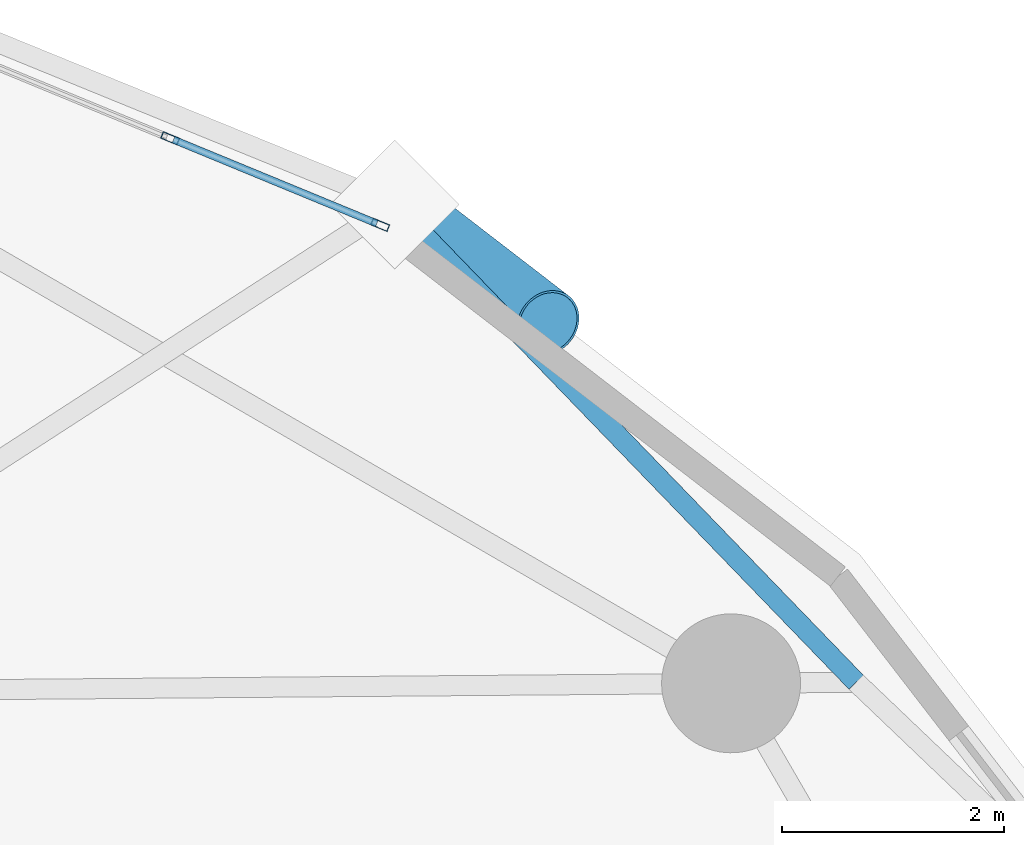
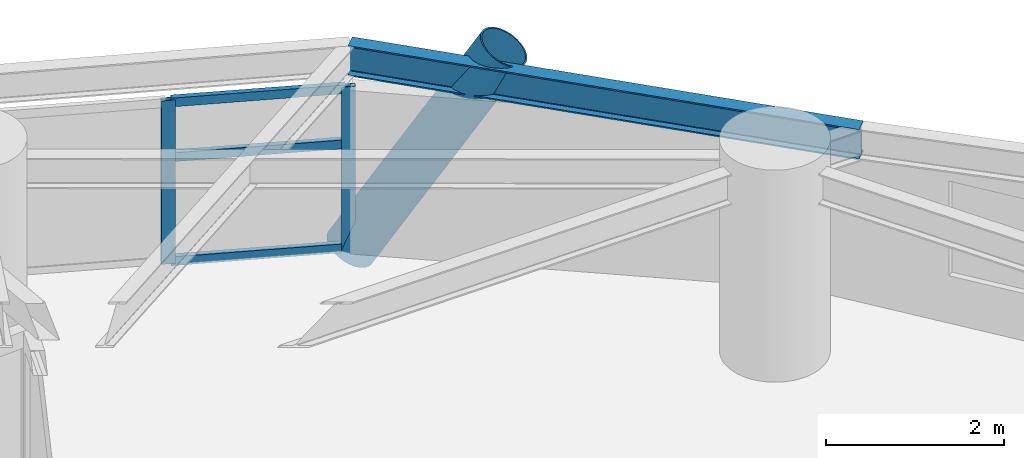
# One storey, part 5 of 19: 6 members, 1 beam, 1 element without a shape of its own.
"""IFC4 building model written with IfcOpenShell, lengths in metres."""

import ifcopenshell
import ifcopenshell.guid

model = None  # the IFC model being written
_history = None  # IfcOwnerHistory: only IFC2X3 demands one
_inside = {}  # id of a spatial element -> (the spatial element, [elements in it])
_under = {}  # id of a project, library or spatial element -> (it, [spatial elements below it])
_declared = {}  # id of a project -> (the project, [libraries it declares])
_typed = {}  # id of a type object -> (the type object, [elements of that type])
_made_of = {}  # id of a material, layer set ... -> (it, [elements and type objects made of it])


def new_model(schema):
    """Start an empty IFC model of exactly this schema.

    Asked for "IFC4X3", IfcOpenShell would pick the latest addendum, in which some entities
    have other attributes; the version numbers below select the first issue.
    IFC2X3 requires an IfcOwnerHistory on every rooted entity: one is made here for all.
    """
    global model, _history
    if schema == "IFC4X3":
        model = ifcopenshell.file(schema_version=(4, 3, 0, 0))
    else:
        model = ifcopenshell.file(schema=schema)
    _inside.clear()
    _under.clear()
    _declared.clear()
    _typed.clear()
    _made_of.clear()
    _history = None
    if model.schema == "IFC2X3":
        org = make("IfcOrganization", Name="unknown")
        user = make(
            "IfcPersonAndOrganization",
            ThePerson=make("IfcPerson", FamilyName="unknown"),
            TheOrganization=org,
        )
        app = make(
            "IfcApplication",
            ApplicationDeveloper=org,
            Version="unknown",
            ApplicationFullName="unknown",
            ApplicationIdentifier="unknown",
        )
        _history = make(
            "IfcOwnerHistory",
            OwningUser=user,
            OwningApplication=app,
            ChangeAction="ADDED",
            CreationDate=0,
        )
    return model


def make(cls, **values):
    """One entity of the class cls with the attributes given. An attribute that is None is left unset."""
    return model.create_entity(
        cls, **{name: value for name, value in values.items() if value is not None}
    )


def rooted(cls, **values):
    """An entity with a GlobalId (a new one), such as an element, a storey or a relation."""
    return make(cls, GlobalId=ifcopenshell.guid.new(), OwnerHistory=_history, **values)


def si_unit(unit_type, name, prefix=None):
    """IfcSIUnit, for example si_unit("LENGTHUNIT", "METRE", prefix="MILLI")."""
    return make("IfcSIUnit", UnitType=unit_type, Prefix=prefix, Name=name)


def assignment(units):
    """IfcUnitAssignment: the units of a project."""
    return None if units is None else make("IfcUnitAssignment", Units=units)


def point(xyz):
    """IfcCartesianPoint."""
    return None if xyz is None else make("IfcCartesianPoint", Coordinates=xyz)


def direction(xyz):
    """IfcDirection."""
    return None if xyz is None else make("IfcDirection", DirectionRatios=xyz)


def frame(location, z_axis=None, x_axis=None):
    """IfcAxis2Placement3D, a coordinate frame: its origin and axes. An axis left out is left unset."""
    return make(
        "IfcAxis2Placement3D",
        Location=point(location),
        Axis=direction(z_axis),
        RefDirection=direction(x_axis),
    )


def frame_2d(location, x_axis=None):
    """IfcAxis2Placement2D, a coordinate frame in the plane: its origin and x axis."""
    return make(
        "IfcAxis2Placement2D", Location=point(location), RefDirection=direction(x_axis)
    )


def origin():
    """The frame at (0, 0, 0) with its axes left unset."""
    return frame((0.0, 0.0, 0.0))


def origin_2d():
    """The frame at (0, 0) in the plane with its x axis left unset."""
    return frame_2d((0.0, 0.0))


def place(relative_to, where):
    """IfcLocalPlacement: puts the frame where relative to a parent placement (None: the world)."""
    return make(
        "IfcLocalPlacement", PlacementRelTo=relative_to, RelativePlacement=where
    )


def context(
    kind, dimensions, precision=None, world=None, true_north=None, identifier=None
):
    """IfcGeometricRepresentationContext, for example the 3D "Model" context."""
    return make(
        "IfcGeometricRepresentationContext",
        ContextIdentifier=identifier,
        ContextType=kind,
        CoordinateSpaceDimension=dimensions,
        Precision=precision,
        WorldCoordinateSystem=world,
        TrueNorth=true_north,
    )


def subcontext(parent, identifier, kind, view, scale=None):
    """IfcGeometricRepresentationSubContext, for example "Body" below "Model"."""
    return make(
        "IfcGeometricRepresentationSubContext",
        ContextIdentifier=identifier,
        ContextType=kind,
        ParentContext=parent,
        TargetScale=scale,
        TargetView=view,
    )


def project(units=None, contexts=None):
    """IfcProject with its units and contexts."""
    return rooted(
        "IfcProject",
        Name="project",
        RepresentationContexts=contexts,
        UnitsInContext=assignment(units),
    )


def spatial(cls, under=None, at=None, **own):
    """A site, building, storey or space (cls), placed at a placement, below another one or the project."""
    s = rooted(cls, ObjectPlacement=at, **own)
    if under is not None:
        _under.setdefault(under.id(), (under, []))[1].append(s)
    return s


def profile(cls, at=None, kind="AREA", **sizes):
    """A parametric profile (cls). Its sizes go by their IFC names, for example OverallWidth=200.0."""
    return make(cls, ProfileType=kind, Position=at, **sizes)


def hollow_rectangle(**sizes):
    """IfcRectangleHollowProfileDef."""
    return profile("IfcRectangleHollowProfileDef", **sizes)


def hollow_circle(**sizes):
    """IfcCircleHollowProfileDef."""
    return profile("IfcCircleHollowProfileDef", **sizes)


def i_section(**sizes):
    """IfcIShapeProfileDef."""
    return profile("IfcIShapeProfileDef", **sizes)


def extrude(swept, where, along, depth):
    """IfcExtrudedAreaSolid: the profile swept, set in the frame where, extruded along a direction by depth."""
    return make(
        "IfcExtrudedAreaSolid",
        SweptArea=swept,
        Position=where,
        ExtrudedDirection=direction(along),
        Depth=depth,
    )


def shape(context_of_items, identifier, shape_type, items):
    """IfcShapeRepresentation: the items that make up one representation, for example the "Body"."""
    return make(
        "IfcShapeRepresentation",
        ContextOfItems=context_of_items,
        RepresentationIdentifier=identifier,
        RepresentationType=shape_type,
        Items=items,
    )


def material(Name=None, Category=None):
    """IfcMaterial."""
    return make("IfcMaterial", Name=Name, Category=Category)


def layer(
    of_material, thickness, ventilated=None, Name=None, Category=None, Priority=None
):
    """IfcMaterialLayer: one layer of a wall or slab, of a material (None: an air gap)."""
    return make(
        "IfcMaterialLayer",
        Material=of_material,
        LayerThickness=thickness,
        IsVentilated=ventilated,
        Name=Name,
        Category=Category,
        Priority=Priority,
    )


def layer_set(layers, Name=None):
    """IfcMaterialLayerSet."""
    return make("IfcMaterialLayerSet", MaterialLayers=layers, LayerSetName=Name)


def material_profile(
    of_material, cross_section, Name=None, Category=None, Priority=None
):
    """IfcMaterialProfile: a cross section and its material."""
    return make(
        "IfcMaterialProfile",
        Name=Name,
        Material=of_material,
        Profile=cross_section,
        Priority=Priority,
        Category=Category,
    )


def profile_set(profiles, Name=None, composite=None):
    """IfcMaterialProfileSet."""
    return make(
        "IfcMaterialProfileSet",
        Name=Name,
        MaterialProfiles=profiles,
        CompositeProfile=composite,
    )


def made_of(thing, what):
    """Note that an element or type object is made of a material, layer set ...; save() writes the relation."""
    if what is not None:
        _made_of.setdefault(what.id(), (what, []))[1].append(thing)
    return thing


def type_object(cls, material=None, **own):
    """A type object (cls), such as IfcWallType, which elements share."""
    return made_of(rooted(cls, **own), material)


def element(
    cls,
    number,
    at=None,
    inside=None,
    cuts=None,
    type_object=None,
    material=None,
    context=None,
    identifier="Body",
    shape_type=None,
    held_by="IfcProductDefinitionShape",
    body=None,
    shapes=None,
    **own,
):
    """One element of the class cls, such as IfcWall. Its Tag is "e" and its number.

    at: its placement. inside: the storey or other place that contains it. cuts: it is an
    opening in that element (IfcRelVoidsElement). A single representation is given by context,
    identifier, shape_type and body (its items); several are given by shapes. held_by: the class
    of the entity that holds the representations. save() writes the other relations.
    """
    e = rooted(cls, Tag="e%d" % number, ObjectPlacement=at, **own)
    if body is not None:
        shapes = [shape(context, identifier, shape_type, body)]
    if shapes is not None:
        e.Representation = make(held_by, Representations=shapes)
    if inside is not None:
        _inside.setdefault(inside.id(), (inside, []))[1].append(e)
    if cuts is not None:
        rooted(
            "IfcRelVoidsElement", RelatingBuildingElement=cuts, RelatedOpeningElement=e
        )
    if type_object is not None:
        _typed.setdefault(type_object.id(), (type_object, []))[1].append(e)
    return made_of(e, material)


def aggregate(whole, parts):
    """IfcRelAggregates: a whole, such as a stair, and the parts it consists of."""
    return rooted("IfcRelAggregates", RelatingObject=whole, RelatedObjects=parts)


def save(model, path):
    """Write the relations noted so far, then the file.

    IfcRelAggregates (storeys below a building ...), IfcRelContainedInSpatialStructure (elements
    in a storey), IfcRelDefinesByType, IfcRelAssociatesMaterial and IfcRelDeclares: one each for
    every whole, place, type object, material and project.
    """
    for whole, parts in _under.values():
        aggregate(whole, parts)
    for where, things in _inside.values():
        rooted(
            "IfcRelContainedInSpatialStructure",
            RelatedElements=things,
            RelatingStructure=where,
        )
    for kind, things in _typed.values():
        rooted("IfcRelDefinesByType", RelatedObjects=things, RelatingType=kind)
    for what, things in _made_of.values():
        rooted("IfcRelAssociatesMaterial", RelatedObjects=things, RelatingMaterial=what)
    for by, libraries in _declared.values():
        rooted("IfcRelDeclares", RelatingContext=by, RelatedDefinitions=libraries)
    model.write(path)


model = new_model("IFC4")

# Units and contexts
model_context = context("Model", 3, precision=1e-05, world=origin(), true_north=direction((0.0, 1.0)))
body_context = subcontext(model_context, "Body", "Model", "MODEL_VIEW")
ifc_project = project(units=[si_unit("LENGTHUNIT", "METRE"), si_unit("AREAUNIT", "SQUARE_METRE"), si_unit("VOLUMEUNIT", "CUBIC_METRE"), si_unit("PLANEANGLEUNIT", "RADIAN"), si_unit("MASSUNIT", "GRAM", prefix="KILO")], contexts=[model_context])

# Site, building, storey
site_placement = place(None, origin())
site = spatial("IfcSite", under=ifc_project, at=site_placement, CompositionType="ELEMENT")
building_placement = place(site_placement, origin())
building = spatial("IfcBuilding", under=site, at=building_placement, Name="Cununo Teusaquillo Station Towers", CompositionType="ELEMENT")
storey_placement = place(building_placement, frame((0.0, 0.0, 177.7900390625)))
storey = spatial("IfcBuildingStorey", under=building, at=storey_placement, Name="L56", CompositionType="ELEMENT", Elevation=177.7900390625)

# Beam
ifc_material_1 = material(Name="Steel ASTM A572 Grade 50", Category="steel")
ifc_material_profile_1 = material_profile(ifc_material_1, i_section(OverallWidth=0.180908203125, OverallDepth=0.4169921875, WebThickness=0.010986328125, FlangeThickness=0.018310546875, FilletRadius=0.012939453125, at=origin_2d()), Name="W16X57")
ifc_profile_set_1 = profile_set([ifc_material_profile_1], Name="Steel ASTM A572 Grade 50")
beam_type = type_object("IfcBeamType", Name="BM-RING-Z3", PredefinedType="SPANDREL", material=ifc_profile_set_1)
beam_placement = place(storey_placement, frame((67.232666015625, 33.116455078125, 2.4814453125), z_axis=(-0.694791256552, 0.719211450005, 0.0), x_axis=(-0.719211450005, -0.694791256552, 0.0)))
element("IfcBeam", 1, at=beam_placement, inside=storey, type_object=beam_type, Name="L56 Tower B Spandrel Ring Beam 01", PredefinedType="SPANDREL", context=body_context, shape_type="SweptSolid", body=[
    extrude(i_section(OverallWidth=0.180908203125, OverallDepth=0.4169921875, WebThickness=0.010986328125, FlangeThickness=0.018310546875, FilletRadius=0.012939453125, at=origin_2d()), origin(), (0.0, 0.0, 1.0), 5.978515625),
])

# Curtain wall, members
ifc_material_2 = material(Name="Operable acoustic tinted low-E double glazing", Category="glass")
ifc_layer = layer(ifc_material_2, 0.179931640625)
ifc_layer_set = layer_set([ifc_layer], Name="Operable acoustic tinted low-E double glazing")
curtain_wall_type = type_object("IfcCurtainWallType", Name="CW-SYS-06", PredefinedType="USERDEFINED", material=ifc_layer_set)
curtain_wall_placement = place(storey_placement, origin())
curtain_wall = element("IfcCurtainWall", 2, at=curtain_wall_placement, inside=storey, type_object=curtain_wall_type, Name="L56 Tower B Facade Curtain Wall C01", ObjectType="OPERABLE GLAZING", PredefinedType="USERDEFINED")
ifc_material_3 = material(Name="Anodised dark bronze aluminium EN AW-6063-T6", Category="aluminium")
ifc_material_profile_2 = material_profile(ifc_material_3, hollow_rectangle(XDim=0.06494140625, YDim=0.159912109375, WallThickness=0.00390625, at=origin_2d()), Name="CW-MULL-65x160")
ifc_profile_set_2 = profile_set([ifc_material_profile_2], Name="Anodised dark bronze aluminium EN AW-6063-T6")
member_type_1 = type_object("IfcMemberType", Name="CWM-160", PredefinedType="MULLION", material=ifc_profile_set_2)
member_1_placement = place(storey_placement, frame((61.05908203125, 38.011962890625, 0.0), z_axis=(0.0, 0.0, 1.0), x_axis=(0.381229322376, 0.924480504803, 0.0)))
member_1 = element("IfcMember", 3, at=member_1_placement, type_object=member_type_1, Name="CW-06 mullion 2", PredefinedType="MULLION", context=body_context, shape_type="SweptSolid", body=[
    extrude(hollow_rectangle(XDim=0.06494140625, YDim=0.159912109375, WallThickness=0.00390625, at=origin_2d()), origin(), (0.0, 0.0, 1.0), 2.244873046875),
])
member_2_placement = place(storey_placement, frame((62.948974609375, 37.232666015625, 0.0), z_axis=(0.0, 0.0, 1.0), x_axis=(0.381229322376, 0.924480504803, 0.0)))
member_2 = element("IfcMember", 4, at=member_2_placement, type_object=member_type_1, Name="CW-06 mullion 3", PredefinedType="MULLION", context=body_context, shape_type="SweptSolid", body=[
    extrude(hollow_rectangle(XDim=0.06494140625, YDim=0.159912109375, WallThickness=0.00390625, at=origin_2d()), origin(), (0.0, 0.0, 1.0), 2.244873046875),
])
ifc_material_4 = material(Name="Anodised dark bronze aluminium EN AW-6063-T6", Category="aluminium")
ifc_material_profile_3 = material_profile(ifc_material_4, hollow_rectangle(XDim=0.06494140625, YDim=0.1201171875, WallThickness=0.00390625, at=origin_2d()), Name="CW-TRAN-65x120")
ifc_profile_set_3 = profile_set([ifc_material_profile_3], Name="Anodised dark bronze aluminium EN AW-6063-T6")
member_type_2 = type_object("IfcMemberType", Name="CWT-120", PredefinedType="USERDEFINED", material=ifc_profile_set_3)
member_3_placement = place(storey_placement, frame((61.089111328125, 37.99951171875, 0.032470703125), z_axis=(0.924450559311, -0.381301932056, 0.0), x_axis=(0.381301932056, 0.924450559311, 0.0)))
member_3 = element("IfcMember", 5, at=member_3_placement, type_object=member_type_2, Name="CW-06 transom 2.1", ObjectType="TRANSOM", PredefinedType="USERDEFINED", context=body_context, shape_type="SweptSolid", body=[
    extrude(hollow_rectangle(XDim=0.06494140625, YDim=0.1201171875, WallThickness=0.00390625, at=origin_2d()), origin(), (0.0, 0.0, 1.0), 1.97900390625),
])
member_4_placement = place(storey_placement, frame((61.089111328125, 37.99951171875, 1.458984375), z_axis=(0.924450559311, -0.381301932056, 0.0), x_axis=(0.381301932056, 0.924450559311, 0.0)))
member_4 = element("IfcMember", 6, at=member_4_placement, type_object=member_type_2, Name="CW-06 transom 2.2", ObjectType="TRANSOM", PredefinedType="USERDEFINED", context=body_context, shape_type="SweptSolid", body=[
    extrude(hollow_rectangle(XDim=0.06494140625, YDim=0.1201171875, WallThickness=0.00390625, at=origin_2d()), origin(), (0.0, 0.0, 1.0), 1.97900390625),
])
member_5_placement = place(storey_placement, frame((61.089111328125, 37.99951171875, 2.21240234375), z_axis=(0.924450559311, -0.381301932056, 0.0), x_axis=(0.381301932056, 0.924450559311, 0.0)))
member_5 = element("IfcMember", 7, at=member_5_placement, type_object=member_type_2, Name="CW-06 transom 2.3", ObjectType="TRANSOM", PredefinedType="USERDEFINED", context=body_context, shape_type="SweptSolid", body=[
    extrude(hollow_rectangle(XDim=0.06494140625, YDim=0.1201171875, WallThickness=0.00390625, at=origin_2d()), origin(), (0.0, 0.0, 1.0), 1.97900390625),
])
aggregate(curtain_wall, [member_1, member_2, member_3, member_4, member_5])

# Member
ifc_material_5 = material(Name="Steel EN 10025-2 S355J2", Category="steel")
ifc_material_profile_4 = material_profile(ifc_material_5, hollow_circle(Radius=0.304931640625, WallThickness=0.02001953125, at=origin_2d()), Name="CHS 610x20")
ifc_profile_set_4 = profile_set([ifc_material_profile_4], Name="Steel EN 10025-2 S355J2")
member_type_3 = type_object("IfcMemberType", Name="MBR-DIAG-Z3", PredefinedType="BRACE", material=ifc_profile_set_4)
member_6_placement = place(storey_placement, frame((63.078857421875, 37.416259765625, -0.14013671875), z_axis=(0.407166023641, -0.313686231363, 0.857797631989), x_axis=(0.6102992551, 0.792170953282, 0.0)))
element("IfcMember", 8, at=member_6_placement, inside=storey, type_object=member_type_3, Name="L56 Tower B Folded-Zigzag Diagrid Tube C00", PredefinedType="BRACE", context=body_context, shape_type="SweptSolid", body=[
    extrude(hollow_circle(Radius=0.304931640625, WallThickness=0.02001953125, at=origin_2d()), origin(), (0.0, 0.0, 1.0), 3.392578125),
])

save(model, "model.ifc")
